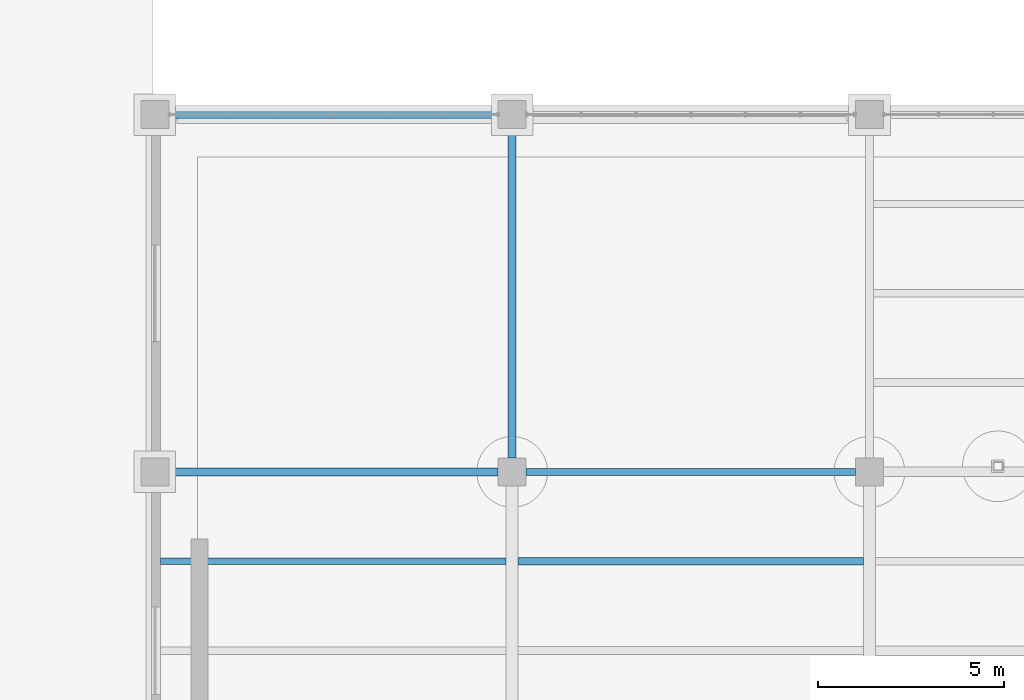
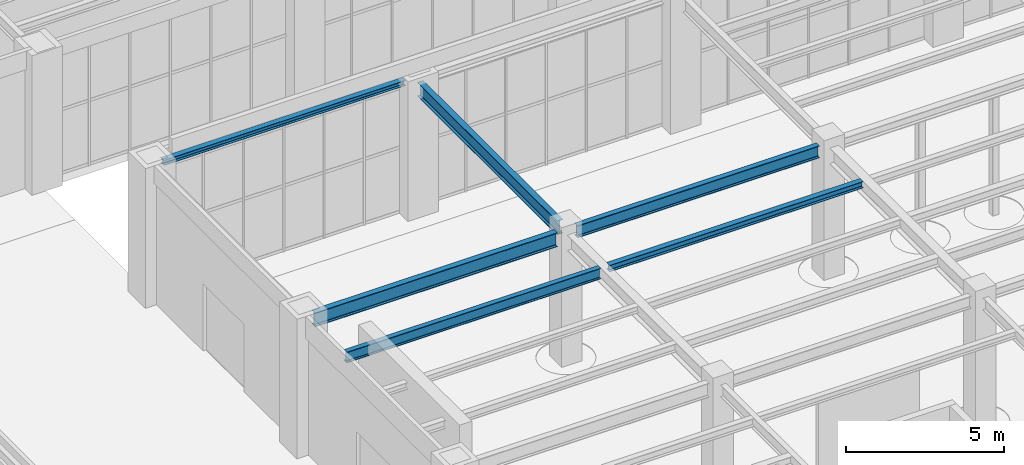
# One storey, part 48 of 164: 6 beams.
"""IFC4 building model written with IfcOpenShell, lengths in metres."""

from ifc_helpers import new_model, si_unit, direction, frame, origin, origin_2d, place, context, subcontext, project, spatial, i_section, extrude, material, material_profile, profile_set, type_object, element, save


model = new_model("IFC4")

# Units and contexts
model_context = context("Model", 3, precision=1e-05, world=origin(), true_north=direction((0.0, 1.0)))
body_context = subcontext(model_context, "Body", "Model", "MODEL_VIEW")
ifc_project = project(units=[si_unit("LENGTHUNIT", "METRE"), si_unit("AREAUNIT", "SQUARE_METRE"), si_unit("VOLUMEUNIT", "CUBIC_METRE"), si_unit("PLANEANGLEUNIT", "RADIAN"), si_unit("MASSUNIT", "GRAM", prefix="KILO")], contexts=[model_context])

# Site, building, storey
site_placement = place(None, origin())
site = spatial("IfcSite", under=ifc_project, at=site_placement, CompositionType="ELEMENT")
building_placement = place(site_placement, origin())
building = spatial("IfcBuilding", under=site, at=building_placement, Name="Mavantir Sound Aquarium", CompositionType="ELEMENT")
storey_placement = place(building_placement, origin())
storey = spatial("IfcBuildingStorey", under=building, at=storey_placement, Name="L00", CompositionType="ELEMENT", Elevation=0.0)

# Beams
ifc_material = material(Name="Structural Steel ASTM A992 Gr50", Category="steel")
ifc_material_profile_1 = material_profile(ifc_material, i_section(OverallWidth=0.202880859375, OverallDepth=0.202880859375, WebThickness=0.007080078125, FlangeThickness=0.010986328125, FilletRadius=0.010009765625, at=origin_2d()), Name="W200X46")
ifc_profile_set_1 = profile_set([ifc_material_profile_1], Name="Structural Steel ASTM A992 Gr50")
beam_type_1 = type_object("IfcBeamType", Name="BM-W200X46-E", PredefinedType="LINTEL", material=ifc_profile_set_1)
beam_1_placement = place(storey_placement, frame((108.375, 28.800048828125, 5.014404296875), z_axis=(1.0, 0.0, 0.0), x_axis=(0.0, 1.0, 0.0)))
element("IfcBeam", 1, at=beam_1_placement, inside=storey, type_object=beam_type_1, Name="L00 primary beam SL-20 1082", PredefinedType="LINTEL", context=body_context, shape_type="SweptSolid", body=[
    extrude(i_section(OverallWidth=0.202880859375, OverallDepth=0.202880859375, WebThickness=0.007080078125, FlangeThickness=0.010986328125, FilletRadius=0.010009765625, at=origin_2d()), origin(), (0.0, 0.0, 1.0), 8.85009765625),
])
ifc_material_profile_2 = material_profile(ifc_material, i_section(OverallWidth=0.202880859375, OverallDepth=0.251953125, WebThickness=0.008056640625, FlangeThickness=0.013427734375, FilletRadius=0.011962890625, at=origin_2d()), Name="W250X58")
ifc_profile_set_2 = profile_set([ifc_material_profile_2], Name="Structural Steel ASTM A992 Gr50")
beam_type_2 = type_object("IfcBeamType", Name="BM-W250X58-I", PredefinedType="JOIST", material=ifc_profile_set_2)
beam_2_placement = place(storey_placement, frame((117.761962890625, 16.800048828125, 4.919921875), z_axis=(1.0, 0.0, 0.0), x_axis=(0.0, 1.0, 0.0)))
element("IfcBeam", 2, at=beam_2_placement, inside=storey, type_object=beam_type_2, Name="L00 secondary floor joist SJ-25 624", PredefinedType="JOIST", context=body_context, shape_type="SweptSolid", body=[
    extrude(i_section(OverallWidth=0.202880859375, OverallDepth=0.251953125, WebThickness=0.008056640625, FlangeThickness=0.013427734375, FilletRadius=0.011962890625, at=origin_2d()), origin(), (0.0, 0.0, 1.0), 9.276123046875),
])
ifc_material_profile_3 = material_profile(ifc_material, i_section(OverallWidth=0.180908203125, OverallDepth=0.4169921875, WebThickness=0.010986328125, FlangeThickness=0.018310546875, FilletRadius=0.014892578125, at=origin_2d()), Name="W410X85")
ifc_profile_set_3 = profile_set([ifc_material_profile_3], Name="Structural Steel ASTM A992 Gr50")
beam_type_3 = type_object("IfcBeamType", Name="BM-W410X85-I", PredefinedType="JOIST", material=ifc_profile_set_3)
beam_3_placement = place(storey_placement, frame((108.152587890625, 16.800048828125, 4.83740234375), z_axis=(1.0, 0.0, 0.0), x_axis=(0.0, 1.0, 0.0)))
element("IfcBeam", 3, at=beam_3_placement, inside=storey, type_object=beam_type_3, Name="L00 secondary floor joist SJ-41 621", PredefinedType="JOIST", context=body_context, shape_type="SweptSolid", body=[
    extrude(i_section(OverallWidth=0.180908203125, OverallDepth=0.4169921875, WebThickness=0.010986328125, FlangeThickness=0.018310546875, FilletRadius=0.014892578125, at=origin_2d()), origin(), (0.0, 0.0, 1.0), 9.285400390625),
])
ifc_material_profile_4 = material_profile(ifc_material, i_section(OverallWidth=0.194091796875, OverallDepth=0.468994140625, WebThickness=0.0126953125, FlangeThickness=0.0205078125, FilletRadius=0.01611328125, at=origin_2d()), Name="W460X106")
ifc_profile_set_4 = profile_set([ifc_material_profile_4], Name="Structural Steel ASTM A992 Gr50")
beam_type_4 = type_object("IfcBeamType", Name="BM-W460X106-I", PredefinedType="BEAM", material=ifc_profile_set_4)
beam_4_placement = place(storey_placement, frame((117.97509765625, 19.199951171875, 4.8115234375), z_axis=(1.0, 0.0, 0.0), x_axis=(0.0, 1.0, 0.0)))
element("IfcBeam", 4, at=beam_4_placement, inside=storey, type_object=beam_type_4, Name="L00 primary beam SB-46 1079", PredefinedType="BEAM", context=body_context, shape_type="SweptSolid", body=[
    extrude(i_section(OverallWidth=0.194091796875, OverallDepth=0.468994140625, WebThickness=0.0126953125, FlangeThickness=0.0205078125, FilletRadius=0.01611328125, at=origin_2d()), origin(), (0.0, 0.0, 1.0), 8.849853515625),
])
ifc_material_profile_5 = material_profile(ifc_material, i_section(OverallWidth=0.2119140625, OverallDepth=0.5439453125, WebThickness=0.01318359375, FlangeThickness=0.021240234375, FilletRadius=0.01806640625, at=origin_2d()), Name="W530X123")
ifc_profile_set_5 = profile_set([ifc_material_profile_5], Name="Structural Steel ASTM A992 Gr50")
beam_type_5 = type_object("IfcBeamType", Name="BM-W530X123-I", PredefinedType="BEAM", material=ifc_profile_set_5)
for number, where, z_axis, x_axis, name in (
    (5, (108.375, 19.199951171875, 4.77392578125), (1.0, 0.0, 0.0), (0.0, 1.0, 0.0), "L00 primary beam SB-53 1078"),
    (6, (117.60009765625, 19.574951171875, 4.843994140625), (0.0, 1.0, 0.0), (-1.0, 0.0, 0.0), "L00 primary girder SB-53 1091"),
):
    element("IfcBeam", number, at=place(storey_placement, frame(where, z_axis=z_axis, x_axis=x_axis)), inside=storey, type_object=beam_type_5, Name=name, PredefinedType="BEAM", context=body_context, shape_type="SweptSolid", body=[
        extrude(i_section(OverallWidth=0.2119140625, OverallDepth=0.5439453125, WebThickness=0.01318359375, FlangeThickness=0.021240234375, FilletRadius=0.01806640625, at=origin_2d()), origin(), (0.0, 0.0, 1.0), 8.85009765625),
    ])

save(model, "model.ifc")
